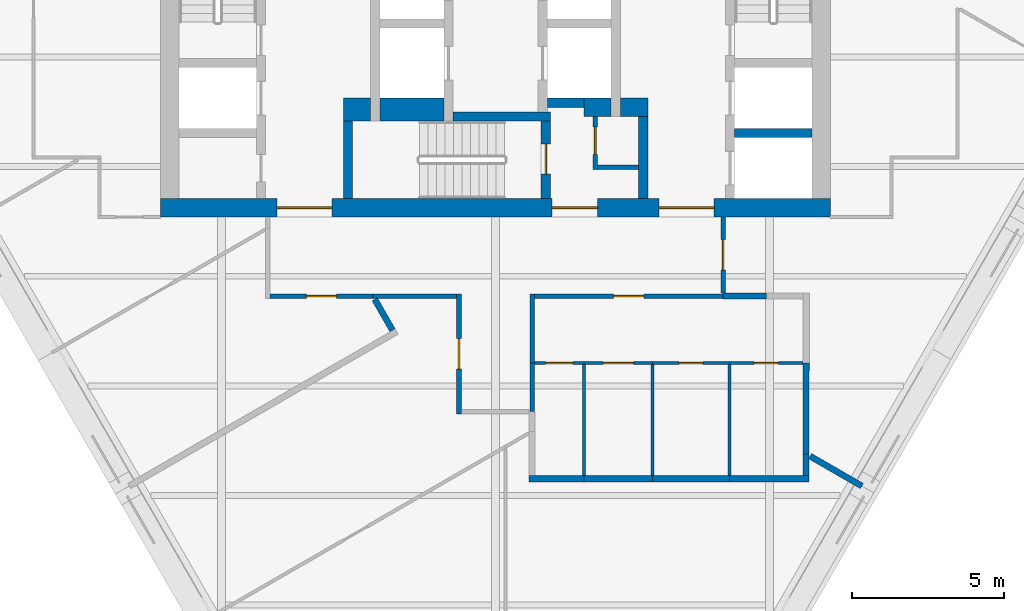
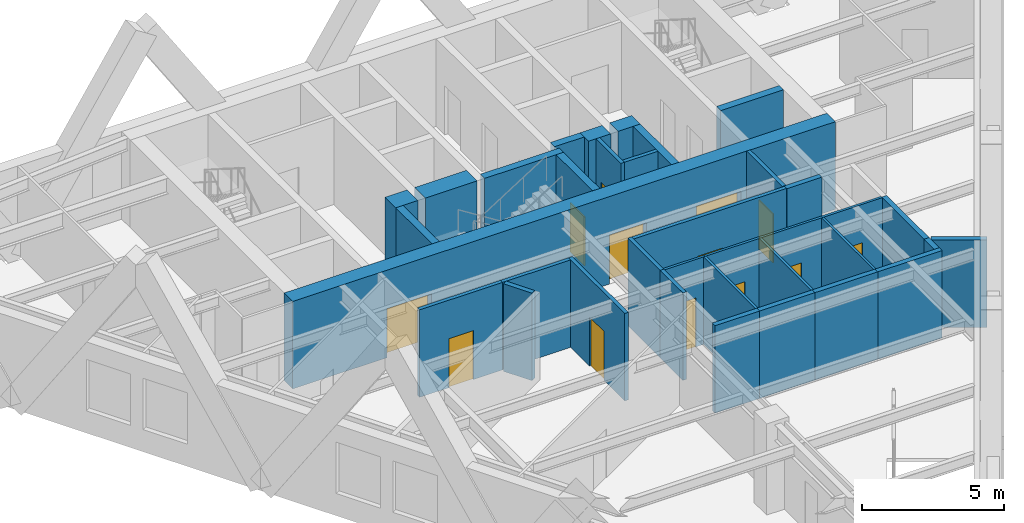
# One storey, part 5 of 11: 36 walls, 13 doors, 13 openings.
"""IFC4 building model written with IfcOpenShell, lengths in metres."""

from ifc_helpers import new_model, si_unit, direction, frame, frame_2d, origin, place, context, subcontext, project, spatial, rectangle, extrude, material, layer, layer_set, type_object, element, fill, save


model = new_model("IFC4")

# Units and contexts
model_context = context("Model", 3, precision=1e-05, world=origin(), true_north=direction((0.0, 1.0)))
body_context = subcontext(model_context, "Body", "Model", "MODEL_VIEW")
ifc_project = project(units=[si_unit("LENGTHUNIT", "METRE"), si_unit("AREAUNIT", "SQUARE_METRE"), si_unit("VOLUMEUNIT", "CUBIC_METRE"), si_unit("PLANEANGLEUNIT", "RADIAN"), si_unit("MASSUNIT", "GRAM", prefix="KILO")], contexts=[model_context])

# Site, building, storey
site_placement = place(None, origin())
site = spatial("IfcSite", under=ifc_project, at=site_placement, CompositionType="ELEMENT")
building_placement = place(site_placement, origin())
building = spatial("IfcBuilding", under=site, at=building_placement, Name="Aloe Facet Convention Tower", CompositionType="ELEMENT")
storey_placement = place(building_placement, frame((0.0, 0.0, 167.60009765625)))
storey = spatial("IfcBuildingStorey", under=building, at=storey_placement, Name="L42", CompositionType="ELEMENT", Elevation=167.60009765625)

# Wall, opening, door
ifc_material_1 = material(Name="Concrete blockwork partition", Category="masonry")
ifc_layer_1 = layer(ifc_material_1, 0.14990234375)
ifc_layer_set_1 = layer_set([ifc_layer_1], Name="CR-W-PART150")
wall_type_1 = type_object("IfcWallType", Name="CR-W-PART150", PredefinedType="PARTITIONING", material=ifc_layer_set_1)
wall_1_placement = place(storey_placement, frame((83.27490234375, 125.85009765625, 0.0), z_axis=(0.0, 0.0, 1.0), x_axis=(0.0, -1.0, 0.0)))
wall_1 = element("IfcWall", 1, at=wall_1_placement, inside=storey, type_object=wall_type_1, Name="Core partition L42-022", PredefinedType="PARTITIONING", context=body_context, shape_type="SweptSolid", body=[
    extrude(rectangle(XDim=1.75, YDim=0.14990234375, at=frame_2d((0.875, 0.0))), origin(), (0.0, 0.0, 1.0), 3.75),
])
opening_1_placement = place(wall_1_placement, frame((0.35009765625, 0.0, 0.0)))
opening_1 = element("IfcOpeningElement", 2, at=opening_1_placement, cuts=wall_1, Name="Opening L42-CD12", PredefinedType="OPENING", context=body_context, shape_type="SweptSolid", body=[
    extrude(rectangle(XDim=0.89990234375, YDim=2.10009765625, at=frame_2d((0.449951171875, 1.050048828125))), frame((0.0, 0.0849609375, 0.0), z_axis=(0.0, -1.0, 0.0), x_axis=(1.0, 0.0, 0.0)), (0.0, 0.0, 1.0), 0.169921875),
])
ifc_material_2 = material(Name="Steel fire-resisting door set FD60", Category="steel")
door_type_1 = type_object("IfcDoorType", Name="CR-D-REFUGE-900-FD60-SRIGHT", OperationType="SINGLE_SWING_RIGHT", PredefinedType="DOOR", material=ifc_material_2)
door_1_placement = place(opening_1_placement, origin())
door_1 = element("IfcDoor", 3, at=door_1_placement, inside=storey, type_object=door_type_1, Name="Core door L42-CD12", OperationType="SINGLE_SWING_RIGHT", OverallHeight=2.10009765625, OverallWidth=0.89990234375, PredefinedType="DOOR", context=body_context, shape_type="SweptSolid", body=[
    extrude(rectangle(XDim=0.89990234375, YDim=2.10009765625, at=frame_2d((0.449951171875, 1.050048828125))), frame((0.0, 0.02490234375, 0.0), z_axis=(0.0, -1.0, 0.0), x_axis=(1.0, 0.0, 0.0)), (0.0, 0.0, 1.0), 0.050048828125),
])
fill(opening_1, door_1)

# Walls
wall_2_placement = place(storey_placement, frame((83.35009765625, 124.175048828125, 0.0), z_axis=(0.0, 0.0, 1.0), x_axis=(1.0, 0.0, 0.0)))
element("IfcWall", 4, at=wall_2_placement, inside=storey, type_object=wall_type_1, Name="Core partition L42-023", PredefinedType="PARTITIONING", context=body_context, shape_type="SweptSolid", body=[
    extrude(rectangle(XDim=1.349853515625, YDim=0.14990234375, at=frame_2d((0.6748046875, 0.0))), origin(), (0.0, 0.0, 1.0), 3.75),
])
ifc_material_3 = material(Name="Concrete C60/75", Category="concrete")
ifc_layer_2 = layer(ifc_material_3, 0.300048828125)
ifc_layer_set_2 = layer_set([ifc_layer_2], Name="CR-W-RC300-C6075")
wall_type_2 = type_object("IfcWallType", Name="CR-W-RC300-C6075", PredefinedType="SOLIDWALL", material=ifc_layer_set_2)
wall_3_placement = place(storey_placement, frame((75.14990234375, 125.699951171875, 0.0), z_axis=(0.0, 0.0, 1.0), x_axis=(0.0, -1.0, 0.0)))
element("IfcWall", 5, at=wall_3_placement, inside=storey, type_object=wall_type_2, Name="Core wall L42-009", PredefinedType="SOLIDWALL", context=body_context, shape_type="SweptSolid", body=[
    extrude(rectangle(XDim=2.550048828125, YDim=0.300048828125, at=frame_2d((1.27490234375, 0.0))), origin(), (0.0, 0.0, 1.0), 3.75),
])
wall_4_placement = place(storey_placement, frame((78.60009765625, 125.85009765625, 0.0), z_axis=(0.0, 0.0, 1.0), x_axis=(1.0, 0.0, 0.0)))
element("IfcWall", 6, at=wall_4_placement, inside=storey, type_object=wall_type_2, Name="Core wall L42-015", PredefinedType="SOLIDWALL", context=body_context, shape_type="SweptSolid", body=[
    extrude(rectangle(XDim=3.199951171875, YDim=0.300048828125, at=frame_2d((1.60009765625, 0.0))), origin(), (0.0, 0.0, 1.0), 3.75),
])

# Wall, opening, door
wall_5_placement = place(storey_placement, frame((81.64990234375, 125.699951171875, 0.0), z_axis=(0.0, 0.0, 1.0), x_axis=(0.0, -1.0, 0.0)))
wall_5 = element("IfcWall", 7, at=wall_5_placement, inside=storey, type_object=wall_type_2, Name="Core wall L42-017", PredefinedType="SOLIDWALL", context=body_context, shape_type="SweptSolid", body=[
    extrude(rectangle(XDim=2.550048828125, YDim=0.300048828125, at=frame_2d((1.27490234375, 0.0))), origin(), (0.0, 0.0, 1.0), 3.75),
])
opening_2_placement = place(wall_5_placement, frame((0.75, 0.0, 0.0)))
opening_2 = element("IfcOpeningElement", 8, at=opening_2_placement, cuts=wall_5, Name="Opening L42-CD18", PredefinedType="OPENING", context=body_context, shape_type="SweptSolid", body=[
    extrude(rectangle(XDim=1.0, YDim=2.10009765625, at=frame_2d((0.5, 1.050048828125))), frame((0.0, 0.16015625, 0.0), z_axis=(0.0, -1.0, 0.0), x_axis=(1.0, 0.0, 0.0)), (0.0, 0.0, 1.0), 0.320068359375),
])
ifc_material_4 = material(Name="Steel fire-resisting door set FD120", Category="steel")
door_type_2 = type_object("IfcDoorType", Name="CR-D-STAIR-1000-FD120-SLEFT", OperationType="SINGLE_SWING_LEFT", PredefinedType="DOOR", material=ifc_material_4)
door_2_placement = place(opening_2_placement, origin())
door_2 = element("IfcDoor", 9, at=door_2_placement, inside=storey, type_object=door_type_2, Name="Core door L42-CD18", OperationType="SINGLE_SWING_LEFT", OverallHeight=2.10009765625, OverallWidth=1.0, PredefinedType="DOOR", context=body_context, shape_type="SweptSolid", body=[
    extrude(rectangle(XDim=1.0, YDim=2.10009765625, at=frame_2d((0.5, 1.050048828125))), frame((0.0, 0.02490234375, 0.0), z_axis=(0.0, -1.0, 0.0), x_axis=(1.0, 0.0, 0.0)), (0.0, 0.0, 1.0), 0.050048828125),
])
fill(opening_2, door_2)

# Walls
wall_6_placement = place(storey_placement, frame((81.699951171875, 126.300048828125, 0.0), z_axis=(0.0, 0.0, 1.0), x_axis=(1.0, 0.0, 0.0)))
element("IfcWall", 10, at=wall_6_placement, inside=storey, type_object=wall_type_2, Name="Core wall L42-020", PredefinedType="SOLIDWALL", context=body_context, shape_type="SweptSolid", body=[
    extrude(rectangle(XDim=1.199951171875, YDim=0.300048828125, at=frame_2d((0.60009765625, 0.0))), origin(), (0.0, 0.0, 1.0), 3.75),
])
wall_7_placement = place(storey_placement, frame((84.85009765625, 125.85009765625, 0.0), z_axis=(0.0, 0.0, 1.0), x_axis=(0.0, -1.0, 0.0)))
element("IfcWall", 11, at=wall_7_placement, inside=storey, type_object=wall_type_2, Name="Core wall L42-027", PredefinedType="SOLIDWALL", context=body_context, shape_type="SweptSolid", body=[
    extrude(rectangle(XDim=2.7001953125, YDim=0.300048828125, at=frame_2d((1.35009765625, 0.0))), origin(), (0.0, 0.0, 1.0), 3.75),
])
wall_8_placement = place(storey_placement, frame((87.85009765625, 125.300048828125, 0.0), z_axis=(0.0, 0.0, 1.0), x_axis=(1.0, 0.0, 0.0)))
element("IfcWall", 12, at=wall_8_placement, inside=storey, type_object=wall_type_2, Name="Core wall L42-030", PredefinedType="SOLIDWALL", context=body_context, shape_type="SweptSolid", body=[
    extrude(rectangle(XDim=2.5498046875, YDim=0.300048828125, at=frame_2d((1.27490234375, 0.0))), origin(), (0.0, 0.0, 1.0), 3.75),
])

# Wall, openings, doors
ifc_material_5 = material(Name="Concrete C60/75", Category="concrete")
ifc_layer_3 = layer(ifc_material_5, 0.60009765625)
ifc_layer_set_3 = layer_set([ifc_layer_3], Name="CR-W-RC600-C6075")
wall_type_3 = type_object("IfcWallType", Name="CR-W-RC600-C6075", PredefinedType="SOLIDWALL", material=ifc_layer_set_3)
wall_9_placement = place(storey_placement, frame((69.0, 122.85009765625, 0.0), z_axis=(0.0, 0.0, 1.0), x_axis=(1.0, 0.0, 0.0)))
wall_9 = element("IfcWall", 13, at=wall_9_placement, inside=storey, type_object=wall_type_3, Name="Core wall L42-003", PredefinedType="SOLIDWALL", context=body_context, shape_type="SweptSolid", body=[
    extrude(rectangle(XDim=22.0, YDim=0.60009765625, at=frame_2d((11.0, 0.0))), origin(), (0.0, 0.0, 1.0), 3.75),
])
opening_3_placement = place(wall_9_placement, frame((16.375, 0.0, 0.0)))
opening_3 = element("IfcOpeningElement", 14, at=opening_3_placement, cuts=wall_9, Name="Opening L42-CD09", PredefinedType="OPENING", context=body_context, shape_type="SweptSolid", body=[
    extrude(rectangle(XDim=1.800048828125, YDim=2.10009765625, at=frame_2d((0.89990234375, 1.050048828125))), frame((0.0, 0.31005859375, 0.0), z_axis=(0.0, -1.0, 0.0), x_axis=(1.0, 0.0, 0.0)), (0.0, 0.0, 1.0), 0.6201171875),
])
opening_4_placement = place(wall_9_placement, frame((3.824951171875, 0.0, 0.0)))
opening_4 = element("IfcOpeningElement", 15, at=opening_4_placement, cuts=wall_9, Name="Opening L42-CD10", PredefinedType="OPENING", context=body_context, shape_type="SweptSolid", body=[
    extrude(rectangle(XDim=1.800048828125, YDim=2.10009765625, at=frame_2d((0.89990234375, 1.050048828125))), frame((0.0, 0.31005859375, 0.0), z_axis=(0.0, -1.0, 0.0), x_axis=(1.0, 0.0, 0.0)), (0.0, 0.0, 1.0), 0.6201171875),
])
opening_5_placement = place(wall_9_placement, frame((12.85009765625, 0.0, 0.0)))
opening_5 = element("IfcOpeningElement", 16, at=opening_5_placement, cuts=wall_9, Name="Opening L42-CD11", PredefinedType="OPENING", context=body_context, shape_type="SweptSolid", body=[
    extrude(rectangle(XDim=1.5, YDim=2.10009765625, at=frame_2d((0.75, 1.050048828125))), frame((0.0, 0.31005859375, 0.0), z_axis=(0.0, -1.0, 0.0), x_axis=(1.0, 0.0, 0.0)), (0.0, 0.0, 1.0), 0.6201171875),
])
ifc_material_6 = material(Name="Steel fire-resisting door set FD60", Category="steel")
door_type_3 = type_object("IfcDoorType", Name="CR-D-EXIT-1500-FD60-DD", OperationType="DOUBLE_DOOR_DOUBLE_SWING", PredefinedType="DOOR", material=ifc_material_6)
door_3_placement = place(opening_5_placement, origin())
door_3 = element("IfcDoor", 17, at=door_3_placement, inside=storey, type_object=door_type_3, Name="Core door L42-CD11", OperationType="DOUBLE_DOOR_DOUBLE_SWING", OverallHeight=2.10009765625, OverallWidth=1.5, PredefinedType="DOOR", context=body_context, shape_type="SweptSolid", body=[
    extrude(rectangle(XDim=1.5, YDim=2.10009765625, at=frame_2d((0.75, 1.050048828125))), frame((0.0, 0.02490234375, 0.0), z_axis=(0.0, -1.0, 0.0), x_axis=(1.0, 0.0, 0.0)), (0.0, 0.0, 1.0), 0.050048828125),
])
fill(opening_5, door_3)
ifc_material_7 = material(Name="Steel fire-resisting door set FD120", Category="steel")
door_type_4 = type_object("IfcDoorType", Name="CR-D-EXIT-1800-FD120-DD", OperationType="DOUBLE_DOOR_DOUBLE_SWING", PredefinedType="DOOR", material=ifc_material_7)
door_4_placement = place(opening_3_placement, origin())
door_4 = element("IfcDoor", 18, at=door_4_placement, inside=storey, type_object=door_type_4, Name="Core door L42-CD09", OperationType="DOUBLE_DOOR_DOUBLE_SWING", OverallHeight=2.10009765625, OverallWidth=1.800048828125, PredefinedType="DOOR", context=body_context, shape_type="SweptSolid", body=[
    extrude(rectangle(XDim=1.800048828125, YDim=2.10009765625, at=frame_2d((0.89990234375, 1.050048828125))), frame((0.0, 0.02490234375, 0.0), z_axis=(0.0, -1.0, 0.0), x_axis=(1.0, 0.0, 0.0)), (0.0, 0.0, 1.0), 0.050048828125),
])
fill(opening_3, door_4)
door_5_placement = place(opening_4_placement, origin())
door_5 = element("IfcDoor", 19, at=door_5_placement, inside=storey, type_object=door_type_4, Name="Core door L42-CD10", OperationType="DOUBLE_DOOR_DOUBLE_SWING", OverallHeight=2.10009765625, OverallWidth=1.800048828125, PredefinedType="DOOR", context=body_context, shape_type="SweptSolid", body=[
    extrude(rectangle(XDim=1.800048828125, YDim=2.10009765625, at=frame_2d((0.89990234375, 1.050048828125))), frame((0.0, 0.02490234375, 0.0), z_axis=(0.0, -1.0, 0.0), x_axis=(1.0, 0.0, 0.0)), (0.0, 0.0, 1.0), 0.050048828125),
])
fill(opening_4, door_5)

# Walls
wall_10_placement = place(storey_placement, frame((82.89990234375, 126.14990234375, 0.0), z_axis=(0.0, 0.0, 1.0), x_axis=(1.0, 0.0, 0.0)))
element("IfcWall", 20, at=wall_10_placement, inside=storey, type_object=wall_type_3, Name="Core wall L42-021", PredefinedType="SOLIDWALL", context=body_context, shape_type="SweptSolid", body=[
    extrude(rectangle(XDim=0.900146484375, YDim=0.60009765625, at=frame_2d((0.4501953125, 0.0))), origin(), (0.0, 0.0, 1.0), 3.75),
])
wall_11_placement = place(storey_placement, frame((84.10009765625, 126.14990234375, 0.0), z_axis=(0.0, 0.0, 1.0), x_axis=(1.0, 0.0, 0.0)))
element("IfcWall", 21, at=wall_11_placement, inside=storey, type_object=wall_type_3, Name="Core wall L42-026", PredefinedType="SOLIDWALL", context=body_context, shape_type="SweptSolid", body=[
    extrude(rectangle(XDim=0.89990234375, YDim=0.60009765625, at=frame_2d((0.449951171875, 0.0))), origin(), (0.0, 0.0, 1.0), 3.75),
])
ifc_material_8 = material(Name="Concrete C60/75", Category="concrete")
ifc_layer_4 = layer(ifc_material_8, 0.75)
ifc_layer_set_4 = layer_set([ifc_layer_4], Name="CR-W-RC750-C6075")
wall_type_4 = type_object("IfcWallType", Name="CR-W-RC750-C6075", PredefinedType="SOLIDWALL", material=ifc_layer_set_4)
wall_12_placement = place(storey_placement, frame((75.0, 126.074951171875, 0.0), z_axis=(0.0, 0.0, 1.0), x_axis=(1.0, 0.0, 0.0)))
element("IfcWall", 22, at=wall_12_placement, inside=storey, type_object=wall_type_4, Name="Core wall L42-008", PredefinedType="SOLIDWALL", context=body_context, shape_type="SweptSolid", body=[
    extrude(rectangle(XDim=0.89990234375, YDim=0.75, at=frame_2d((0.449951171875, 0.0))), origin(), (0.0, 0.0, 1.0), 3.75),
])
wall_13_placement = place(storey_placement, frame((76.199951171875, 126.074951171875, 0.0), z_axis=(0.0, 0.0, 1.0), x_axis=(1.0, 0.0, 0.0)))
element("IfcWall", 23, at=wall_13_placement, inside=storey, type_object=wall_type_4, Name="Core wall L42-013", PredefinedType="SOLIDWALL", context=body_context, shape_type="SweptSolid", body=[
    extrude(rectangle(XDim=2.10009765625, YDim=0.75, at=frame_2d((1.050048828125, 0.0))), origin(), (0.0, 0.0, 1.0), 3.75),
])

# Wall, opening, door
ifc_material_9 = material(Name="Gypsum board partition on steel studs", Category="steel")
ifc_layer_5 = layer(ifc_material_9, 0.14990234375)
ifc_layer_set_5 = layer_set([ifc_layer_5], Name="IN-W-CORR")
wall_type_5 = type_object("IfcWallType", Name="IN-W-CORR", PredefinedType="PARTITIONING", material=ifc_layer_set_5)
wall_14_placement = place(storey_placement, frame((78.800048828125, 116.081787109375, 0.0), z_axis=(0.0, 0.0, 1.0), x_axis=(0.0, 1.0, 0.0)))
wall_14 = element("IfcWall", 24, at=wall_14_placement, inside=storey, type_object=wall_type_5, Name="Partition L42-W013", PredefinedType="PARTITIONING", context=body_context, shape_type="SweptSolid", body=[
    extrude(rectangle(XDim=3.943115234375, YDim=0.14990234375, at=frame_2d((1.9716796875, 0.0))), origin(), (0.0, 0.0, 1.0), 3.75),
])
opening_6_placement = place(wall_14_placement, frame((1.4716796875, 0.0, 0.0)))
opening_6 = element("IfcOpeningElement", 25, at=opening_6_placement, cuts=wall_14, Name="Opening L42-011", PredefinedType="OPENING", context=body_context, shape_type="SweptSolid", body=[
    extrude(rectangle(XDim=1.0, YDim=2.10009765625, at=frame_2d((0.5, 1.050048828125))), frame((0.0, 0.0849609375, 0.0), z_axis=(0.0, -1.0, 0.0), x_axis=(1.0, 0.0, 0.0)), (0.0, 0.0, 1.0), 0.169921875),
])
ifc_material_10 = material(Name="Timber door FD30S with vision panel", Category="wood")
door_type_5 = type_object("IfcDoorType", Name="IN-OFF-D-ENTRY", OperationType="SINGLE_SWING_LEFT", PredefinedType="DOOR", material=ifc_material_10)
door_6_placement = place(opening_6_placement, origin())
door_6 = element("IfcDoor", 26, at=door_6_placement, inside=storey, type_object=door_type_5, Name="Door L42-011", OperationType="SINGLE_SWING_LEFT", OverallHeight=2.10009765625, OverallWidth=1.0, PredefinedType="DOOR", context=body_context, shape_type="SweptSolid", body=[
    extrude(rectangle(XDim=1.0, YDim=2.10009765625, at=frame_2d((0.5, 1.050048828125))), frame((0.0, 0.02490234375, 0.0), z_axis=(0.0, -1.0, 0.0), x_axis=(1.0, 0.0, 0.0)), (0.0, 0.0, 1.0), 0.050048828125),
])
fill(opening_6, door_6)

# Wall
wall_15_placement = place(storey_placement, frame((81.199951171875, 116.15673828125, 0.0), z_axis=(0.0, 0.0, 1.0), x_axis=(0.0, 1.0, 0.0)))
element("IfcWall", 27, at=wall_15_placement, inside=storey, type_object=wall_type_5, Name="Partition L42-W024", PredefinedType="PARTITIONING", context=body_context, shape_type="SweptSolid", body=[
    extrude(rectangle(XDim=1.59326171875, YDim=0.14990234375, at=frame_2d((0.796630859375, 0.0))), origin(), (0.0, 0.0, 1.0), 3.75),
])

# Wall, opening, door
wall_16_placement = place(storey_placement, frame((72.60009765625, 119.949951171875, 0.0), z_axis=(0.0, 0.0, 1.0), x_axis=(1.0, 0.0, 0.0)))
wall_16 = element("IfcWall", 28, at=wall_16_placement, inside=storey, type_object=wall_type_5, Name="Partition L42-W028", PredefinedType="PARTITIONING", context=body_context, shape_type="SweptSolid", body=[
    extrude(rectangle(XDim=3.370361328125, YDim=0.14990234375, at=frame_2d((1.68505859375, 0.0))), origin(), (0.0, 0.0, 1.0), 3.75),
])
opening_7_placement = place(wall_16_placement, frame((1.185302734375, 0.0, 0.0)))
opening_7 = element("IfcOpeningElement", 29, at=opening_7_placement, cuts=wall_16, Name="Opening L42-010", PredefinedType="OPENING", context=body_context, shape_type="SweptSolid", body=[
    extrude(rectangle(XDim=1.0, YDim=2.10009765625, at=frame_2d((0.5, 1.050048828125))), frame((0.0, 0.0849609375, 0.0), z_axis=(0.0, -1.0, 0.0), x_axis=(1.0, 0.0, 0.0)), (0.0, 0.0, 1.0), 0.169921875),
])
door_7_placement = place(opening_7_placement, origin())
door_7 = element("IfcDoor", 30, at=door_7_placement, inside=storey, type_object=door_type_5, Name="Door L42-010", OperationType="SINGLE_SWING_LEFT", OverallHeight=2.10009765625, OverallWidth=1.0, PredefinedType="DOOR", context=body_context, shape_type="SweptSolid", body=[
    extrude(rectangle(XDim=1.0, YDim=2.10009765625, at=frame_2d((0.5, 1.050048828125))), frame((0.0, 0.02490234375, 0.0), z_axis=(0.0, -1.0, 0.0), x_axis=(1.0, 0.0, 0.0)), (0.0, 0.0, 1.0), 0.050048828125),
])
fill(opening_7, door_7)

# Walls
wall_17_placement = place(storey_placement, frame((75.970458984375, 119.949951171875, 0.0), z_axis=(0.0, 0.0, 1.0), x_axis=(1.0, 0.0, 0.0)))
element("IfcWall", 31, at=wall_17_placement, inside=storey, type_object=wall_type_5, Name="Partition L42-W029", PredefinedType="PARTITIONING", context=body_context, shape_type="SweptSolid", body=[
    extrude(rectangle(XDim=2.754638671875, YDim=0.14990234375, at=frame_2d((1.37744140625, 0.0))), origin(), (0.0, 0.0, 1.0), 3.75),
])
wall_18_placement = place(storey_placement, frame((81.199951171875, 117.75, 0.0), z_axis=(0.0, 0.0, 1.0), x_axis=(0.0, 1.0, 0.0)))
element("IfcWall", 32, at=wall_18_placement, inside=storey, type_object=wall_type_5, Name="Partition L42-W030", PredefinedType="PARTITIONING", context=body_context, shape_type="SweptSolid", body=[
    extrude(rectangle(XDim=2.27490234375, YDim=0.14990234375, at=frame_2d((1.137451171875, 0.0))), origin(), (0.0, 0.0, 1.0), 3.75),
])

# Wall, opening, door
wall_19_placement = place(storey_placement, frame((81.27490234375, 119.949951171875, 0.0), z_axis=(0.0, 0.0, 1.0), x_axis=(1.0, 0.0, 0.0)))
wall_19 = element("IfcWall", 33, at=wall_19_placement, inside=storey, type_object=wall_type_5, Name="Partition L42-W031", PredefinedType="PARTITIONING", context=body_context, shape_type="SweptSolid", body=[
    extrude(rectangle(XDim=6.2001953125, YDim=0.14990234375, at=frame_2d((3.10009765625, 0.0))), origin(), (0.0, 0.0, 1.0), 3.75),
])
opening_8_placement = place(wall_19_placement, frame((2.60009765625, 0.0, 0.0)))
opening_8 = element("IfcOpeningElement", 34, at=opening_8_placement, cuts=wall_19, Name="Opening L42-001", PredefinedType="OPENING", context=body_context, shape_type="SweptSolid", body=[
    extrude(rectangle(XDim=1.0, YDim=2.10009765625, at=frame_2d((0.5, 1.050048828125))), frame((0.0, 0.0849609375, 0.0), z_axis=(0.0, -1.0, 0.0), x_axis=(1.0, 0.0, 0.0)), (0.0, 0.0, 1.0), 0.169921875),
])
door_8_placement = place(opening_8_placement, origin())
door_8 = element("IfcDoor", 35, at=door_8_placement, inside=storey, type_object=door_type_5, Name="Door L42-001", OperationType="SINGLE_SWING_LEFT", OverallHeight=2.10009765625, OverallWidth=1.0, PredefinedType="DOOR", context=body_context, shape_type="SweptSolid", body=[
    extrude(rectangle(XDim=1.0, YDim=2.10009765625, at=frame_2d((0.5, 1.050048828125))), frame((0.0, 0.02490234375, 0.0), z_axis=(0.0, -1.0, 0.0), x_axis=(1.0, 0.0, 0.0)), (0.0, 0.0, 1.0), 0.050048828125),
])
fill(opening_8, door_8)

wall_20_placement = place(storey_placement, frame((87.47509765625, 120.050048828125, 0.0), z_axis=(0.0, 0.0, 1.0), x_axis=(0.0, 1.0, 0.0)))
wall_20 = element("IfcWall", 36, at=wall_20_placement, inside=storey, type_object=wall_type_5, Name="Partition L42-W037", PredefinedType="PARTITIONING", context=body_context, shape_type="SweptSolid", body=[
    extrude(rectangle(XDim=2.5, YDim=0.14990234375, at=frame_2d((1.25, 0.0))), origin(), (0.0, 0.0, 1.0), 3.75),
])
opening_9_placement = place(wall_20_placement, frame((0.75, 0.0, 0.0)))
opening_9 = element("IfcOpeningElement", 37, at=opening_9_placement, cuts=wall_20, Name="Opening L42-012", PredefinedType="OPENING", context=body_context, shape_type="SweptSolid", body=[
    extrude(rectangle(XDim=1.0, YDim=2.10009765625, at=frame_2d((0.5, 1.050048828125))), frame((0.0, 0.0849609375, 0.0), z_axis=(0.0, -1.0, 0.0), x_axis=(1.0, 0.0, 0.0)), (0.0, 0.0, 1.0), 0.169921875),
])
door_9_placement = place(opening_9_placement, origin())
door_9 = element("IfcDoor", 38, at=door_9_placement, inside=storey, type_object=door_type_5, Name="Door L42-012", OperationType="SINGLE_SWING_LEFT", OverallHeight=2.10009765625, OverallWidth=1.0, PredefinedType="DOOR", context=body_context, shape_type="SweptSolid", body=[
    extrude(rectangle(XDim=1.0, YDim=2.10009765625, at=frame_2d((0.5, 1.050048828125))), frame((0.0, 0.02490234375, 0.0), z_axis=(0.0, -1.0, 0.0), x_axis=(1.0, 0.0, 0.0)), (0.0, 0.0, 1.0), 0.050048828125),
])
fill(opening_9, door_9)

# Wall
ifc_material_11 = material(Name="Gypsum board partition on steel studs", Category="steel")
ifc_layer_6 = layer(ifc_material_11, 0.10009765625)
ifc_layer_set_6 = layer_set([ifc_layer_6], Name="IN-W-PART")
wall_type_6 = type_object("IfcWallType", Name="IN-W-PART", PredefinedType="PARTITIONING", material=ifc_layer_set_6)
wall_21_placement = place(storey_placement, frame((82.900146484375, 114.050048828125, 0.0), z_axis=(0.0, 0.0, 1.0), x_axis=(0.002675575707, 0.999996420641, 0.0)))
element("IfcWall", 39, at=wall_21_placement, inside=storey, type_object=wall_type_6, Name="Partition L42-W016", PredefinedType="PARTITIONING", context=body_context, shape_type="SweptSolid", body=[
    extrude(rectangle(XDim=3.64990234375, YDim=0.10009765625, at=frame_2d((1.824951171875, 0.0))), origin(), (0.0, 0.0, 1.0), 3.75),
])

# Wall, opening, door
wall_22_placement = place(storey_placement, frame((81.27490234375, 117.75, 0.0), z_axis=(0.0, 0.0, 1.0), x_axis=(1.0, 0.0, 0.0)))
wall_22 = element("IfcWall", 40, at=wall_22_placement, inside=storey, type_object=wall_type_6, Name="Partition L42-W017", PredefinedType="PARTITIONING", context=body_context, shape_type="SweptSolid", body=[
    extrude(rectangle(XDim=1.635009765625, YDim=0.10009765625, at=frame_2d((0.8173828125, 0.0))), origin(), (0.0, 0.0, 1.0), 3.75),
])
opening_10_placement = place(wall_22_placement, frame((0.367431640625, 0.0, 0.0)))
opening_10 = element("IfcOpeningElement", 41, at=opening_10_placement, cuts=wall_22, Name="Opening L42-002", PredefinedType="OPENING", context=body_context, shape_type="SweptSolid", body=[
    extrude(rectangle(XDim=0.89990234375, YDim=2.10009765625, at=frame_2d((0.449951171875, 1.050048828125))), frame((0.0, 0.06005859375, 0.0), z_axis=(0.0, -1.0, 0.0), x_axis=(1.0, 0.0, 0.0)), (0.0, 0.0, 1.0), 0.1201171875),
])
ifc_material_12 = material(Name="Timber door", Category="wood")
door_type_6 = type_object("IfcDoorType", Name="IN-OFF-D-ROOM", OperationType="SINGLE_SWING_LEFT", PredefinedType="DOOR", material=ifc_material_12)
door_10_placement = place(opening_10_placement, origin())
door_10 = element("IfcDoor", 42, at=door_10_placement, inside=storey, type_object=door_type_6, Name="Door L42-002", OperationType="SINGLE_SWING_LEFT", OverallHeight=2.10009765625, OverallWidth=0.89990234375, PredefinedType="DOOR", context=body_context, shape_type="SweptSolid", body=[
    extrude(rectangle(XDim=0.89990234375, YDim=2.10009765625, at=frame_2d((0.449951171875, 1.050048828125))), frame((0.0, 0.02490234375, 0.0), z_axis=(0.0, -1.0, 0.0), x_axis=(1.0, 0.0, 0.0)), (0.0, 0.0, 1.0), 0.050048828125),
])
fill(opening_10, door_10)

# Wall
wall_23_placement = place(storey_placement, frame((85.150146484375, 114.050048828125, 0.0), z_axis=(0.0, 0.0, 1.0), x_axis=(0.002675575707, 0.999996420641, 0.0)))
element("IfcWall", 43, at=wall_23_placement, inside=storey, type_object=wall_type_6, Name="Partition L42-W018", PredefinedType="PARTITIONING", context=body_context, shape_type="SweptSolid", body=[
    extrude(rectangle(XDim=3.64990234375, YDim=0.10009765625, at=frame_2d((1.824951171875, 0.0))), origin(), (0.0, 0.0, 1.0), 3.75),
])

# Wall, opening, door
wall_24_placement = place(storey_placement, frame((82.909912109375, 117.75, 0.0), z_axis=(0.0, 0.0, 1.0), x_axis=(1.0, 0.0, 0.0)))
wall_24 = element("IfcWall", 44, at=wall_24_placement, inside=storey, type_object=wall_type_6, Name="Partition L42-W019", PredefinedType="PARTITIONING", context=body_context, shape_type="SweptSolid", body=[
    extrude(rectangle(XDim=2.25, YDim=0.10009765625, at=frame_2d((1.125, 0.0))), origin(), (0.0, 0.0, 1.0), 3.75),
])
opening_11_placement = place(wall_24_placement, frame((0.625, 0.0, 0.0)))
opening_11 = element("IfcOpeningElement", 45, at=opening_11_placement, cuts=wall_24, Name="Opening L42-003", PredefinedType="OPENING", context=body_context, shape_type="SweptSolid", body=[
    extrude(rectangle(XDim=1.0, YDim=2.10009765625, at=frame_2d((0.5, 1.050048828125))), frame((0.0, 0.06005859375, 0.0), z_axis=(0.0, -1.0, 0.0), x_axis=(1.0, 0.0, 0.0)), (0.0, 0.0, 1.0), 0.1201171875),
])
ifc_material_13 = material(Name="Timber door", Category="wood")
door_type_7 = type_object("IfcDoorType", Name="IN-OFF-D-WIDE", OperationType="SINGLE_SWING_LEFT", PredefinedType="DOOR", material=ifc_material_13)
door_11_placement = place(opening_11_placement, origin())
door_11 = element("IfcDoor", 46, at=door_11_placement, inside=storey, type_object=door_type_7, Name="Door L42-003", OperationType="SINGLE_SWING_LEFT", OverallHeight=2.10009765625, OverallWidth=1.0, PredefinedType="DOOR", context=body_context, shape_type="SweptSolid", body=[
    extrude(rectangle(XDim=1.0, YDim=2.10009765625, at=frame_2d((0.5, 1.050048828125))), frame((0.0, 0.02490234375, 0.0), z_axis=(0.0, -1.0, 0.0), x_axis=(1.0, 0.0, 0.0)), (0.0, 0.0, 1.0), 0.050048828125),
])
fill(opening_11, door_11)

# Wall
wall_25_placement = place(storey_placement, frame((87.689697265625, 114.050048828125, 0.0), z_axis=(0.0, 0.0, 1.0), x_axis=(-0.002608686776, 0.999996597371, 0.0)))
element("IfcWall", 47, at=wall_25_placement, inside=storey, type_object=wall_type_6, Name="Partition L42-W020", PredefinedType="PARTITIONING", context=body_context, shape_type="SweptSolid", body=[
    extrude(rectangle(XDim=3.64990234375, YDim=0.10009765625, at=frame_2d((1.824951171875, 0.0))), origin(), (0.0, 0.0, 1.0), 3.75),
])

# Wall, opening, door
wall_26_placement = place(storey_placement, frame((85.159912109375, 117.75, 0.0), z_axis=(0.0, 0.0, 1.0), x_axis=(1.0, 0.0, 0.0)))
wall_26 = element("IfcWall", 48, at=wall_26_placement, inside=storey, type_object=wall_type_6, Name="Partition L42-W021", PredefinedType="PARTITIONING", context=body_context, shape_type="SweptSolid", body=[
    extrude(rectangle(XDim=2.52001953125, YDim=0.10009765625, at=frame_2d((1.260009765625, 0.0))), origin(), (0.0, 0.0, 1.0), 3.75),
])
opening_12_placement = place(wall_26_placement, frame((0.860107421875, 0.0, 0.0)))
opening_12 = element("IfcOpeningElement", 49, at=opening_12_placement, cuts=wall_26, Name="Opening L42-004", PredefinedType="OPENING", context=body_context, shape_type="SweptSolid", body=[
    extrude(rectangle(XDim=0.800048828125, YDim=2.10009765625, at=frame_2d((0.39990234375, 1.050048828125))), frame((0.0, 0.06005859375, 0.0), z_axis=(0.0, -1.0, 0.0), x_axis=(1.0, 0.0, 0.0)), (0.0, 0.0, 1.0), 0.1201171875),
])
ifc_material_14 = material(Name="Timber door", Category="wood")
door_type_8 = type_object("IfcDoorType", Name="IN-OFF-D-WC", OperationType="SINGLE_SWING_LEFT", PredefinedType="DOOR", material=ifc_material_14)
door_12_placement = place(opening_12_placement, origin())
door_12 = element("IfcDoor", 50, at=door_12_placement, inside=storey, type_object=door_type_8, Name="Door L42-004", OperationType="SINGLE_SWING_LEFT", OverallHeight=2.10009765625, OverallWidth=0.800048828125, PredefinedType="DOOR", context=body_context, shape_type="SweptSolid", body=[
    extrude(rectangle(XDim=0.800048828125, YDim=2.10009765625, at=frame_2d((0.39990234375, 1.050048828125))), frame((0.0, 0.02490234375, 0.0), z_axis=(0.0, -1.0, 0.0), x_axis=(1.0, 0.0, 0.0)), (0.0, 0.0, 1.0), 0.050048828125),
])
fill(opening_12, door_12)

wall_27_placement = place(storey_placement, frame((87.679931640625, 117.75, 0.0), z_axis=(0.0, 0.0, 1.0), x_axis=(1.0, 0.0, 0.0)))
wall_27 = element("IfcWall", 51, at=wall_27_placement, inside=storey, type_object=wall_type_6, Name="Partition L42-W022", PredefinedType="PARTITIONING", context=body_context, shape_type="SweptSolid", body=[
    extrude(rectangle(XDim=2.423095703125, YDim=0.10009765625, at=frame_2d((1.21142578125, 0.0))), origin(), (0.0, 0.0, 1.0), 3.75),
])
opening_13_placement = place(wall_27_placement, frame((0.8115234375, 0.0, 0.0)))
opening_13 = element("IfcOpeningElement", 52, at=opening_13_placement, cuts=wall_27, Name="Opening L42-005", PredefinedType="OPENING", context=body_context, shape_type="SweptSolid", body=[
    extrude(rectangle(XDim=0.800048828125, YDim=2.10009765625, at=frame_2d((0.39990234375, 1.050048828125))), frame((0.0, 0.06005859375, 0.0), z_axis=(0.0, -1.0, 0.0), x_axis=(1.0, 0.0, 0.0)), (0.0, 0.0, 1.0), 0.1201171875),
])
door_13_placement = place(opening_13_placement, origin())
door_13 = element("IfcDoor", 53, at=door_13_placement, inside=storey, type_object=door_type_8, Name="Door L42-005", OperationType="SINGLE_SWING_LEFT", OverallHeight=2.10009765625, OverallWidth=0.800048828125, PredefinedType="DOOR", context=body_context, shape_type="SweptSolid", body=[
    extrude(rectangle(XDim=0.800048828125, YDim=2.10009765625, at=frame_2d((0.39990234375, 1.050048828125))), frame((0.0, 0.02490234375, 0.0), z_axis=(0.0, -1.0, 0.0), x_axis=(1.0, 0.0, 0.0)), (0.0, 0.0, 1.0), 0.050048828125),
])
fill(opening_13, door_13)

# Walls
ifc_material_15 = material(Name="Gypsum board partition on steel studs", Category="steel")
ifc_layer_7 = layer(ifc_material_15, 0.199951171875)
ifc_layer_set_7 = layer_set([ifc_layer_7], Name="IN-W-PARTY")
wall_type_7 = type_object("IfcWallType", Name="IN-W-PARTY", PredefinedType="PARTITIONING", material=ifc_layer_set_7)
wall_28_placement = place(storey_placement, frame((81.10205078125, 113.949951171875, 0.0), z_axis=(0.0, 0.0, 1.0), x_axis=(1.0, 0.0, 0.0)))
element("IfcWall", 54, at=wall_28_placement, inside=storey, type_object=wall_type_7, Name="Partition L42-W003", PredefinedType="PARTITIONING", context=body_context, shape_type="SweptSolid", body=[
    extrude(rectangle(XDim=1.7978515625, YDim=0.199951171875, at=frame_2d((0.89892578125, 0.0))), origin(), (0.0, 0.0, 1.0), 3.75),
])
wall_29_placement = place(storey_placement, frame((82.89990234375, 113.949951171875, 0.0), z_axis=(0.0, 0.0, 1.0), x_axis=(1.0, 0.0, 0.0)))
element("IfcWall", 55, at=wall_29_placement, inside=storey, type_object=wall_type_7, Name="Partition L42-W004", PredefinedType="PARTITIONING", context=body_context, shape_type="SweptSolid", body=[
    extrude(rectangle(XDim=2.25, YDim=0.199951171875, at=frame_2d((1.125, 0.0))), origin(), (0.0, 0.0, 1.0), 3.75),
])
wall_30_placement = place(storey_placement, frame((85.14990234375, 113.949951171875, 0.0), z_axis=(0.0, 0.0, 1.0), x_axis=(1.0, 0.0, 0.0)))
element("IfcWall", 56, at=wall_30_placement, inside=storey, type_object=wall_type_7, Name="Partition L42-W005", PredefinedType="PARTITIONING", context=body_context, shape_type="SweptSolid", body=[
    extrude(rectangle(XDim=2.5400390625, YDim=0.199951171875, at=frame_2d((1.27001953125, 0.0))), origin(), (0.0, 0.0, 1.0), 3.75),
])
wall_31_placement = place(storey_placement, frame((87.68994140625, 113.949951171875, 0.0), z_axis=(0.0, 0.0, 1.0), x_axis=(1.0, 0.0, 0.0)))
element("IfcWall", 57, at=wall_31_placement, inside=storey, type_object=wall_type_7, Name="Partition L42-W006", PredefinedType="PARTITIONING", context=body_context, shape_type="SweptSolid", body=[
    extrude(rectangle(XDim=2.608154296875, YDim=0.199951171875, at=frame_2d((1.30419921875, 0.0))), origin(), (0.0, 0.0, 1.0), 3.75),
])
wall_32_placement = place(storey_placement, frame((90.1982421875, 114.050048828125, 0.0), z_axis=(0.0, 0.0, 1.0), x_axis=(0.002380945632, 0.999997165545, 0.0)))
element("IfcWall", 58, at=wall_32_placement, inside=storey, type_object=wall_type_7, Name="Partition L42-W007", PredefinedType="PARTITIONING", context=body_context, shape_type="SweptSolid", body=[
    extrude(rectangle(XDim=0.7177734375, YDim=0.199951171875, at=frame_2d((0.35888671875, 0.0))), origin(), (0.0, 0.0, 1.0), 3.75),
])
wall_33_placement = place(storey_placement, frame((90.329833984375, 114.69287109375, 0.0), z_axis=(0.0, 0.0, 1.0), x_axis=(0.866009734793, -0.500027138508, 0.0)))
element("IfcWall", 59, at=wall_33_placement, inside=storey, type_object=wall_type_7, Name="Partition L42-W008", PredefinedType="PARTITIONING", context=body_context, shape_type="SweptSolid", body=[
    extrude(rectangle(XDim=1.96533203125, YDim=0.199951171875, at=frame_2d((0.982666015625, 0.0))), origin(), (0.0, 0.0, 1.0), 3.75),
])
wall_34_placement = place(storey_placement, frame((90.199951171875, 114.767822265625, 0.0), z_axis=(0.0, 0.0, 1.0), x_axis=(0.000982398216, 0.999999517447, 0.0)))
element("IfcWall", 60, at=wall_34_placement, inside=storey, type_object=wall_type_7, Name="Partition L42-W009", PredefinedType="PARTITIONING", context=body_context, shape_type="SweptSolid", body=[
    extrude(rectangle(XDim=2.982177734375, YDim=0.199951171875, at=frame_2d((1.4912109375, 0.0))), origin(), (0.0, 0.0, 1.0), 3.75),
])
wall_35_placement = place(storey_placement, frame((76.03271484375, 119.841552734375, 0.0), z_axis=(0.0, 0.0, 1.0), x_axis=(0.498883547335, -0.866669029214, 0.0)))
element("IfcWall", 61, at=wall_35_placement, inside=storey, type_object=wall_type_7, Name="Partition L42-W026", PredefinedType="PARTITIONING", context=body_context, shape_type="SweptSolid", body=[
    extrude(rectangle(XDim=1.167724609375, YDim=0.199951171875, at=frame_2d((0.583984375, 0.0))), origin(), (0.0, 0.0, 1.0), 3.75),
])
wall_36_placement = place(storey_placement, frame((87.47509765625, 119.949951171875, 0.0), z_axis=(0.0, 0.0, 1.0), x_axis=(1.0, 0.0, 0.0)))
element("IfcWall", 62, at=wall_36_placement, inside=storey, type_object=wall_type_7, Name="Partition L42-W032", PredefinedType="PARTITIONING", context=body_context, shape_type="SweptSolid", body=[
    extrude(rectangle(XDim=1.422119140625, YDim=0.199951171875, at=frame_2d((0.7109375, 0.0))), origin(), (0.0, 0.0, 1.0), 3.75),
])

save(model, "model.ifc")
